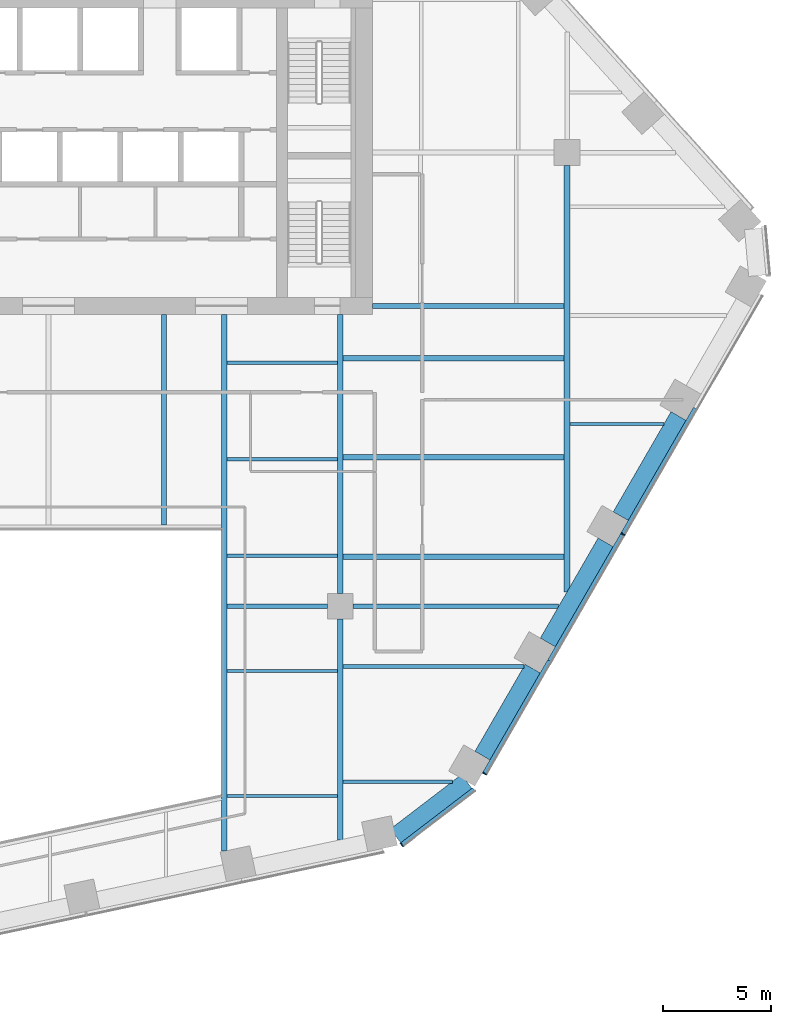
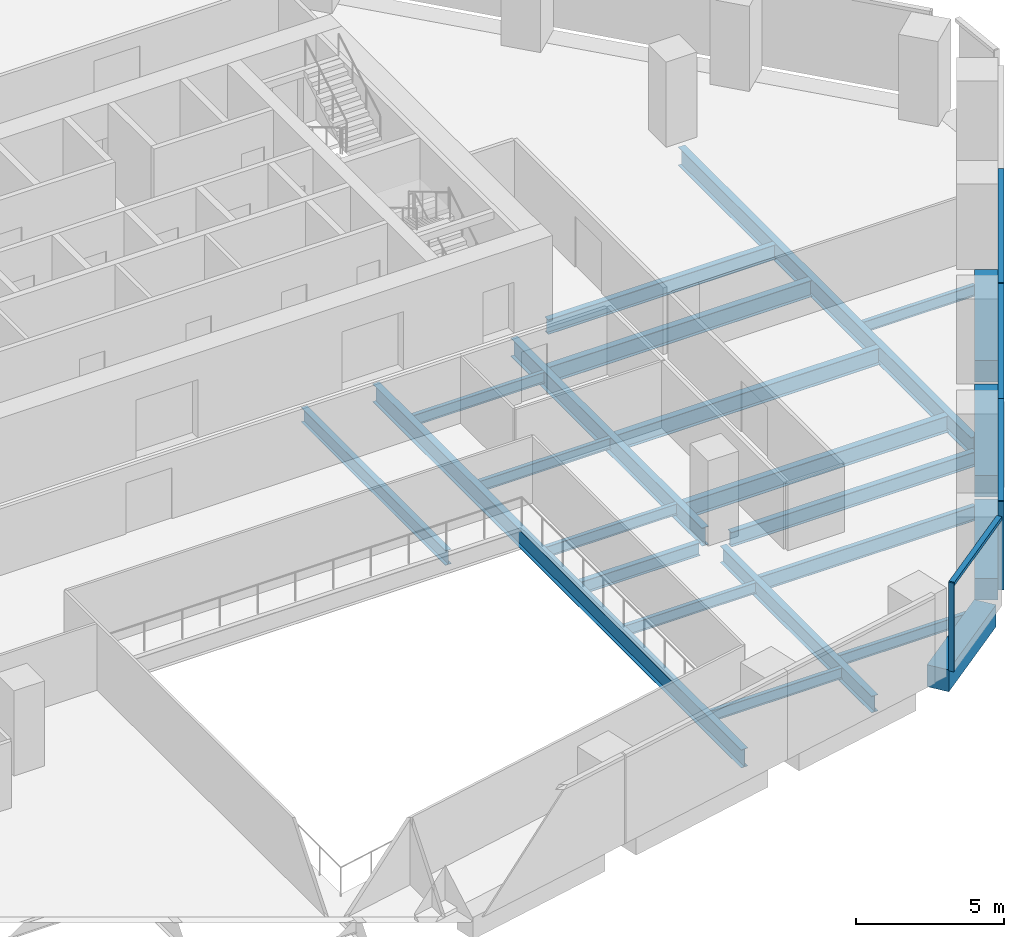
# One storey, part 5 of 16: 23 beams, 7 members, 2 elements without a shape of their own.
"""IFC4 building model written with IfcOpenShell, lengths in metres."""

from ifc_helpers import new_model, si_unit, direction, frame, origin, origin_2d, place, context, subcontext, project, spatial, rectangle, i_section, extrude, material, layer, layer_set, material_profile, profile_set, type_object, element, aggregate, save


model = new_model("IFC4")

# Units and contexts
model_context = context("Model", 3, precision=1e-05, world=origin(), true_north=direction((0.0, 1.0)))
body_context = subcontext(model_context, "Body", "Model", "MODEL_VIEW")
ifc_project = project(units=[si_unit("LENGTHUNIT", "METRE"), si_unit("AREAUNIT", "SQUARE_METRE"), si_unit("VOLUMEUNIT", "CUBIC_METRE"), si_unit("PLANEANGLEUNIT", "RADIAN"), si_unit("MASSUNIT", "GRAM", prefix="KILO")], contexts=[model_context])

# Site, building, storey
site_placement = place(None, origin())
site = spatial("IfcSite", under=ifc_project, at=site_placement, CompositionType="ELEMENT")
building_placement = place(site_placement, origin())
building = spatial("IfcBuilding", under=site, at=building_placement, Name="Isthmus Gate Tower", CompositionType="ELEMENT")
storey_placement = place(building_placement, frame((0.0, 0.0, 151.699951171875)))
storey = spatial("IfcBuildingStorey", under=building, at=storey_placement, Name="L37", CompositionType="ELEMENT", Elevation=151.699951171875)

# Curtain wall, member
ifc_material_1 = material(Name="Aluminium, pale champagne anodised", Category="aluminium")
ifc_layer = layer(ifc_material_1, 0.199951171875)
ifc_layer_set = layer_set([ifc_layer], Name="CW-1 UNITISED CURTAIN WALL 200 DEEP")
curtain_wall_type = type_object("IfcCurtainWallType", Name="CW-1 UNITISED CURTAIN WALL 200 DEEP", PredefinedType="NOTDEFINED", material=ifc_layer_set)
curtain_wall_1_placement = place(storey_placement, origin())
curtain_wall_1 = element("IfcCurtainWall", 1, at=curtain_wall_1_placement, inside=storey, type_object=curtain_wall_type, Name="CW-1 S-SE L37", PredefinedType="NOTDEFINED")
ifc_material_2 = material(Name="Aluminium, pale champagne anodised", Category="aluminium")
ifc_material_profile_1 = material_profile(ifc_material_2, rectangle(XDim=0.06005859375, YDim=0.199951171875, at=origin_2d()), Name="60x200")
ifc_profile_set_1 = profile_set([ifc_material_profile_1], Name="Aluminium, pale champagne anodised")
member_type_1 = type_object("IfcMemberType", Name="CW-1 MULLION 60 X 200", PredefinedType="MULLION", material=ifc_profile_set_1)
member_1_placement = place(storey_placement, frame((16.346435546875, -24.5419921875, 0.0), z_axis=(0.0, 0.0, 1.0), x_axis=(0.794188594387, 0.607671355706, 0.0)))
member_1 = element("IfcMember", 2, at=member_1_placement, type_object=member_type_1, Name="CW-1 mullion", PredefinedType="MULLION", context=body_context, shape_type="SweptSolid", body=[
    extrude(rectangle(XDim=0.06005859375, YDim=0.199951171875, at=origin_2d()), origin(), (0.0, 0.0, 1.0), 3.650146484375),
])

# Curtain wall, members
curtain_wall_2_placement = place(storey_placement, origin())
curtain_wall_2 = element("IfcCurtainWall", 3, at=curtain_wall_2_placement, inside=storey, type_object=curtain_wall_type, Name="CW-1 SE L37", PredefinedType="NOTDEFINED")
member_2_placement = place(storey_placement, frame((20.18115234375, -21.245361328125, 0.0), z_axis=(0.0, 0.0, 1.0), x_axis=(0.5, 0.866025403784, 0.0)))
member_2 = element("IfcMember", 4, at=member_2_placement, type_object=member_type_1, Name="CW-1 mullion", PredefinedType="MULLION", context=body_context, shape_type="SweptSolid", body=[
    extrude(rectangle(XDim=0.06005859375, YDim=0.199951171875, at=origin_2d()), origin(), (0.0, 0.0, 1.0), 3.650146484375),
])
member_3_placement = place(storey_placement, frame((26.5810546875, -10.16015625, 0.0), z_axis=(0.0, 0.0, 1.0), x_axis=(0.5, 0.866025403784, 0.0)))
member_3 = element("IfcMember", 5, at=member_3_placement, type_object=member_type_1, Name="CW-1 mullion", PredefinedType="MULLION", context=body_context, shape_type="SweptSolid", body=[
    extrude(rectangle(XDim=0.06005859375, YDim=0.199951171875, at=origin_2d()), origin(), (0.0, 0.0, 1.0), 3.650146484375),
])

# Member
ifc_material_3 = material(Name="Aluminium, pale champagne anodised", Category="aluminium")
ifc_material_profile_2 = material_profile(ifc_material_3, rectangle(XDim=0.199951171875, YDim=0.139892578125, at=origin_2d()), Name="200x140")
ifc_profile_set_2 = profile_set([ifc_material_profile_2], Name="Aluminium, pale champagne anodised")
member_type_2 = type_object("IfcMemberType", Name="CW-1 TRANSOM 200 X 140", PredefinedType="USERDEFINED", material=ifc_profile_set_2)
member_4_placement = place(storey_placement, frame((16.3701171875, -24.52392578125, 3.580078125), z_axis=(0.79419705805, 0.607660294066, 0.0), x_axis=(-0.607660294066, 0.79419705805, 0.0)))
member_4 = element("IfcMember", 6, at=member_4_placement, type_object=member_type_2, Name="CW-1 transom", ObjectType="TRANSOM", PredefinedType="USERDEFINED", context=body_context, shape_type="SweptSolid", body=[
    extrude(rectangle(XDim=0.199951171875, YDim=0.139892578125, at=origin_2d()), origin(), (0.0, 0.0, 1.0), 4.181640625),
])

aggregate(curtain_wall_1, [member_1, member_4])

member_5_placement = place(storey_placement, frame((20.196044921875, -21.219482421875, 3.580078125), z_axis=(0.499996458184, 0.866027448643, 0.0), x_axis=(-0.866027448643, 0.499996458184, 0.0)))
member_5 = element("IfcMember", 7, at=member_5_placement, type_object=member_type_2, Name="CW-1 transom", ObjectType="TRANSOM", PredefinedType="USERDEFINED", context=body_context, shape_type="SweptSolid", body=[
    extrude(rectangle(XDim=0.199951171875, YDim=0.139892578125, at=origin_2d()), origin(), (0.0, 0.0, 1.0), 5.990234375),
])

member_6_placement = place(storey_placement, frame((23.191162109375, -16.03173828125, 3.580078125), z_axis=(0.499997969693, 0.866026575979, 0.0), x_axis=(-0.866026575979, 0.499997969693, 0.0)))
member_6 = element("IfcMember", 8, at=member_6_placement, type_object=member_type_2, Name="CW-1 transom", ObjectType="TRANSOM", PredefinedType="USERDEFINED", context=body_context, shape_type="SweptSolid", body=[
    extrude(rectangle(XDim=0.199951171875, YDim=0.139892578125, at=origin_2d()), origin(), (0.0, 0.0, 1.0), 6.75),
])

member_7_placement = place(storey_placement, frame((26.59619140625, -10.134033203125, 3.580078125), z_axis=(0.499997283838, 0.866026971956, 0.0), x_axis=(-0.866026971956, 0.499997283838, 0.0)))
member_7 = element("IfcMember", 9, at=member_7_placement, type_object=member_type_2, Name="CW-1 transom", ObjectType="TRANSOM", PredefinedType="USERDEFINED", context=body_context, shape_type="SweptSolid", body=[
    extrude(rectangle(XDim=0.199951171875, YDim=0.139892578125, at=origin_2d()), origin(), (0.0, 0.0, 1.0), 6.68994140625),
])

aggregate(curtain_wall_2, [member_2, member_5, member_6, member_3, member_7])

# Beams
ifc_material_4 = material(Name="Concrete f'c 60 MPa", Category="concrete")
ifc_material_profile_3 = material_profile(ifc_material_4, rectangle(XDim=0.800048828125, YDim=0.89990234375, at=origin_2d()), Name="RC 800X900")
ifc_profile_set_3 = profile_set([ifc_material_profile_3], Name="Concrete f'c 60 MPa")
beam_type_1 = type_object("IfcBeamType", Name="RC SPANDREL 800 X 900", PredefinedType="SPANDREL", material=ifc_profile_set_3)
for number, where, z_axis, x_axis, name in (
    (10, (29.158203125, -4.696533203125, -0.449951171875), (-0.500001594578, -0.866024483152, 0.0), (0.866024483152, -0.500001594578, 0.0), "str-spandrel-L37-07"),
    (11, (25.783203125, -10.542236328125, -0.449951171875), (-0.500001594578, -0.866024483152, 0.0), (0.866024483152, -0.500001594578, 0.0), "str-spandrel-L37-08"),
):
    element("IfcBeam", number, at=place(storey_placement, frame(where, z_axis=z_axis, x_axis=x_axis)), inside=storey, type_object=beam_type_1, Name=name, PredefinedType="SPANDREL", context=body_context, shape_type="SweptSolid", body=[
        extrude(rectangle(XDim=0.800048828125, YDim=0.89990234375, at=origin_2d()), origin(), (0.0, 0.0, 1.0), 5.35009765625),
    ])
beam_1_placement = place(storey_placement, frame((22.408203125, -16.387939453125, -0.449951171875), z_axis=(-0.500001179632, -0.866024722723, 0.0), x_axis=(0.866024722723, -0.500001179632, 0.0)))
element("IfcBeam", 12, at=beam_1_placement, inside=storey, type_object=beam_type_1, Name="str-spandrel-L37-09", PredefinedType="SPANDREL", context=body_context, shape_type="SweptSolid", body=[
    extrude(rectangle(XDim=0.800048828125, YDim=0.89990234375, at=origin_2d()), origin(), (0.0, 0.0, 1.0), 4.650390625),
])
beam_2_placement = place(storey_placement, frame((19.354248046875, -21.611083984375, -0.449951171875), z_axis=(-0.794205941875, -0.607648682949, 0.0), x_axis=(0.607648682949, -0.794205941875, 0.0)))
element("IfcBeam", 13, at=beam_2_placement, inside=storey, type_object=beam_type_1, Name="str-spandrel-L37-10", PredefinedType="SPANDREL", context=body_context, shape_type="SweptSolid", body=[
    extrude(rectangle(XDim=0.800048828125, YDim=0.89990234375, at=origin_2d()), origin(), (0.0, 0.0, 1.0), 4.15234375),
])
ifc_material_5 = material(Name="Structural steel ASTM A992 Gr 50", Category="steel")
ifc_material_profile_4 = material_profile(ifc_material_5, i_section(OverallWidth=0.15234375, OverallDepth=0.45068359375, WebThickness=0.0078125, FlangeThickness=0.010986328125, at=origin_2d()), Name="W18X35")
ifc_profile_set_4 = profile_set([ifc_material_profile_4], Name="Structural steel ASTM A992 Gr 50")
beam_type_2 = type_object("IfcBeamType", Name="STEEL FLOOR BEAM W18X35", PredefinedType="JOIST", material=ifc_profile_set_4)
for number, where, z_axis, x_axis, name in (
    (14, (8.263427734375, -22.283203125, -0.375244140625), (1.0, 0.0, 0.0), (0.0, 1.0, 0.0), "str-beam-L37-09-00"),
    (15, (8.263427734375, -16.49755859375, -0.375244140625), (1.0, 0.0, 0.0), (0.0, 1.0, 0.0), "str-beam-L37-09-01"),
):
    element("IfcBeam", number, at=place(storey_placement, frame(where, z_axis=z_axis, x_axis=x_axis)), inside=storey, type_object=beam_type_2, Name=name, PredefinedType="JOIST", context=body_context, shape_type="SweptSolid", body=[
        extrude(i_section(OverallWidth=0.15234375, OverallDepth=0.45068359375, WebThickness=0.0078125, FlangeThickness=0.010986328125, at=origin_2d()), origin(), (0.0, 0.0, 1.0), 5.109619140625),
    ])
for number, where, z_axis, x_axis, name in (
    (16, (8.263427734375, -11.16259765625, -0.375244140625), (1.0, 0.0, 0.0), (0.0, 1.0, 0.0), "str-beam-L37-10-00"),
    (17, (8.263427734375, -6.697509765625, -0.375244140625), (1.0, 0.0, 0.0), (0.0, 1.0, 0.0), "str-beam-L37-10-01"),
    (18, (8.263427734375, -2.232421875, -0.375244140625), (1.0, 0.0, 0.0), (0.0, 1.0, 0.0), "str-beam-L37-10-02"),
):
    element("IfcBeam", number, at=place(storey_placement, frame(where, z_axis=z_axis, x_axis=x_axis)), inside=storey, type_object=beam_type_2, Name=name, PredefinedType="JOIST", context=body_context, shape_type="SweptSolid", body=[
        extrude(i_section(OverallWidth=0.15234375, OverallDepth=0.45068359375, WebThickness=0.0078125, FlangeThickness=0.010986328125, at=origin_2d()), origin(), (0.0, 0.0, 1.0), 5.104736328125),
    ])
beam_3_placement = place(storey_placement, frame((13.626953125, -21.61767578125, -0.375244140625), z_axis=(1.0, 0.0, 0.0), x_axis=(0.0, 1.0, 0.0)))
element("IfcBeam", 19, at=beam_3_placement, inside=storey, type_object=beam_type_2, Name="str-beam-L37-11-00", PredefinedType="JOIST", context=body_context, shape_type="SweptSolid", body=[
    extrude(i_section(OverallWidth=0.15234375, OverallDepth=0.45068359375, WebThickness=0.0078125, FlangeThickness=0.010986328125, at=origin_2d()), origin(), (0.0, 0.0, 1.0), 5.060302734375),
])
beam_4_placement = place(storey_placement, frame((24.13330078125, -5.0625, -0.375244140625), z_axis=(1.0, 0.0, 0.0), x_axis=(0.0, 1.0, 0.0)))
element("IfcBeam", 20, at=beam_4_placement, inside=storey, type_object=beam_type_2, Name="str-beam-L37-16-00", PredefinedType="JOIST", context=body_context, shape_type="SweptSolid", body=[
    extrude(i_section(OverallWidth=0.15234375, OverallDepth=0.45068359375, WebThickness=0.0078125, FlangeThickness=0.010986328125, at=origin_2d()), origin(), (0.0, 0.0, 1.0), 4.351806640625),
])
ifc_material_6 = material(Name="Structural steel ASTM A992 Gr 50", Category="steel")
ifc_material_profile_5 = material_profile(ifc_material_6, i_section(OverallWidth=0.177734375, OverallDepth=0.60009765625, WebThickness=0.009521484375, FlangeThickness=0.0126953125, at=origin_2d()), Name="W24X55")
ifc_profile_set_5 = profile_set([ifc_material_profile_5], Name="Structural steel ASTM A992 Gr 50")
beam_type_3 = type_object("IfcBeamType", Name="STEEL FLOOR BEAM W24X55", PredefinedType="JOIST", material=ifc_profile_set_5)
beam_5_placement = place(storey_placement, frame((13.626953125, -16.2822265625, -0.449951171875), z_axis=(1.0, 0.0, 0.0), x_axis=(0.0, 1.0, 0.0)))
element("IfcBeam", 21, at=beam_5_placement, inside=storey, type_object=beam_type_3, Name="str-beam-L37-11-01", PredefinedType="JOIST", context=body_context, shape_type="SweptSolid", body=[
    extrude(i_section(OverallWidth=0.177734375, OverallDepth=0.60009765625, WebThickness=0.009521484375, FlangeThickness=0.0126953125, at=origin_2d()), origin(), (0.0, 0.0, 1.0), 8.38037109375),
])
ifc_material_7 = material(Name="Structural steel ASTM A992 Gr 50", Category="steel")
ifc_material_profile_6 = material_profile(ifc_material_7, i_section(OverallWidth=0.228515625, OverallDepth=0.603271484375, WebThickness=0.010986328125, FlangeThickness=0.014404296875, at=origin_2d()), Name="W24X68")
ifc_profile_set_6 = profile_set([ifc_material_profile_6], Name="Structural steel ASTM A992 Gr 50")
beam_type_4 = type_object("IfcBeamType", Name="STEEL FLOOR BEAM W24X68", PredefinedType="JOIST", material=ifc_profile_set_6)
beam_6_placement = place(storey_placement, frame((5.333251953125, -9.7333984375, -0.45166015625), z_axis=(0.0, 1.0, 0.0), x_axis=(-1.0, 0.0, 0.0)))
element("IfcBeam", 22, at=beam_6_placement, inside=storey, type_object=beam_type_4, Name="str-beam-L37-06-02", PredefinedType="JOIST", context=body_context, shape_type="SweptSolid", body=[
    extrude(i_section(OverallWidth=0.228515625, OverallDepth=0.603271484375, WebThickness=0.010986328125, FlangeThickness=0.014404296875, at=origin_2d()), origin(), (0.0, 0.0, 1.0), 9.7333984375),
])
ifc_material_8 = material(Name="Structural steel ASTM A992 Gr 50", Category="steel")
ifc_material_profile_7 = material_profile(ifc_material_8, i_section(OverallWidth=0.25390625, OverallDepth=0.679443359375, WebThickness=0.010986328125, FlangeThickness=0.015869140625, at=origin_2d()), Name="W27X84")
ifc_profile_set_7 = profile_set([ifc_material_profile_7], Name="Structural steel ASTM A992 Gr 50")
beam_type_5 = type_object("IfcBeamType", Name="STEEL FLOOR BEAM W27X84", PredefinedType="JOIST", material=ifc_profile_set_7)
for number, where, z_axis, x_axis, name in (
    (23, (13.6318359375, -11.202392578125, -0.48974609375), (1.0, 0.0, 0.0), (0.0, 1.0, 0.0), "str-beam-L37-12-00"),
    (24, (13.6318359375, -6.607177734375, -0.48974609375), (1.0, 0.0, 0.0), (0.0, 1.0, 0.0), "str-beam-L37-12-01"),
    (25, (13.6318359375, -2.011962890625, -0.48974609375), (1.0, 0.0, 0.0), (0.0, 1.0, 0.0), "str-beam-L37-12-02"),
):
    element("IfcBeam", number, at=place(storey_placement, frame(where, z_axis=z_axis, x_axis=x_axis)), inside=storey, type_object=beam_type_5, Name=name, PredefinedType="JOIST", context=body_context, shape_type="SweptSolid", body=[
        extrude(i_section(OverallWidth=0.25390625, OverallDepth=0.679443359375, WebThickness=0.010986328125, FlangeThickness=0.015869140625, at=origin_2d()), origin(), (0.0, 0.0, 1.0), 10.23486328125),
    ])
ifc_material_9 = material(Name="Structural steel ASTM A992 Gr 50", Category="steel")
ifc_material_profile_8 = material_profile(ifc_material_9, i_section(OverallWidth=0.20947265625, OverallDepth=0.533447265625, WebThickness=0.009521484375, FlangeThickness=0.015869140625, at=origin_2d()), Name="W21X62")
ifc_profile_set_8 = profile_set([ifc_material_profile_8], Name="Structural steel ASTM A992 Gr 50")
beam_type_6 = type_object("IfcBeamType", Name="STEEL GIRDER W21X62", PredefinedType="BEAM", material=ifc_profile_set_8)
beam_7_placement = place(storey_placement, frame((8.263427734375, -13.5, -0.416748046875), z_axis=(1.0, 0.0, 0.0), x_axis=(0.0, 1.0, 0.0)))
element("IfcBeam", 26, at=beam_7_placement, inside=storey, type_object=beam_type_6, Name="str-girder-L37-03", PredefinedType="BEAM", context=body_context, shape_type="SweptSolid", body=[
    extrude(i_section(OverallWidth=0.20947265625, OverallDepth=0.533447265625, WebThickness=0.009521484375, FlangeThickness=0.015869140625, at=origin_2d()), origin(), (0.0, 0.0, 1.0), 4.636474609375),
])
ifc_material_10 = material(Name="Structural steel ASTM A992 Gr 50", Category="steel")
ifc_material_profile_9 = material_profile(ifc_material_10, i_section(OverallWidth=0.228515625, OverallDepth=0.6064453125, WebThickness=0.010986328125, FlangeThickness=0.017578125, at=origin_2d()), Name="W24X76")
ifc_profile_set_9 = profile_set([ifc_material_profile_9], Name="Structural steel ASTM A992 Gr 50")
beam_type_7 = type_object("IfcBeamType", Name="STEEL GIRDER W24X76", PredefinedType="BEAM", material=ifc_profile_set_9)
beam_8_placement = place(storey_placement, frame((14.10009765625, -13.5, -0.453125), z_axis=(1.0, 0.0, 0.0), x_axis=(0.0, 1.0, 0.0)))
element("IfcBeam", 27, at=beam_8_placement, inside=storey, type_object=beam_type_7, Name="str-girder-L37-04", PredefinedType="BEAM", context=body_context, shape_type="SweptSolid", body=[
    extrude(i_section(OverallWidth=0.228515625, OverallDepth=0.6064453125, WebThickness=0.010986328125, FlangeThickness=0.017578125, at=origin_2d()), origin(), (0.0, 0.0, 1.0), 9.513427734375),
])
beam_9_placement = place(storey_placement, frame((15.0, 0.39990234375, -0.453125), z_axis=(1.0, 0.0, 0.0), x_axis=(0.0, 1.0, 0.0)))
element("IfcBeam", 28, at=beam_9_placement, inside=storey, type_object=beam_type_7, Name="str-girder-L37-14", PredefinedType="BEAM", context=body_context, shape_type="SweptSolid", body=[
    extrude(i_section(OverallWidth=0.228515625, OverallDepth=0.6064453125, WebThickness=0.010986328125, FlangeThickness=0.017578125, at=origin_2d()), origin(), (0.0, 0.0, 1.0), 8.86669921875),
])
ifc_material_11 = material(Name="Structural steel ASTM A992 Gr 50", Category="steel")
ifc_material_profile_10 = material_profile(ifc_material_11, i_section(OverallWidth=0.25390625, OverallDepth=0.679443359375, WebThickness=0.010986328125, FlangeThickness=0.015869140625, at=origin_2d()), Name="W27X84")
ifc_profile_set_10 = profile_set([ifc_material_profile_10], Name="Structural steel ASTM A992 Gr 50")
beam_type_8 = type_object("IfcBeamType", Name="STEEL GIRDER W27X84", PredefinedType="BEAM", material=ifc_profile_set_10)
beam_10_placement = place(storey_placement, frame((13.5, -24.3125, -0.48974609375), z_axis=(0.0, 1.0, 0.0), x_axis=(-1.0, 0.0, 0.0)))
element("IfcBeam", 29, at=beam_10_placement, inside=storey, type_object=beam_type_8, Name="str-girder-L37-09", PredefinedType="BEAM", context=body_context, shape_type="SweptSolid", body=[
    extrude(i_section(OverallWidth=0.25390625, OverallDepth=0.679443359375, WebThickness=0.010986328125, FlangeThickness=0.015869140625, at=origin_2d()), origin(), (0.0, 0.0, 1.0), 10.21240234375),
])
ifc_material_12 = material(Name="Structural steel ASTM A992 Gr 50", Category="steel")
ifc_material_profile_11 = material_profile(ifc_material_12, i_section(OverallWidth=0.2666015625, OverallDepth=0.7587890625, WebThickness=0.014404296875, FlangeThickness=0.01904296875, at=origin_2d()), Name="W30X108")
ifc_profile_set_11 = profile_set([ifc_material_profile_11], Name="Structural steel ASTM A992 Gr 50")
beam_type_9 = type_object("IfcBeamType", Name="STEEL GIRDER W30X108", PredefinedType="BEAM", material=ifc_profile_set_11)
beam_11_placement = place(storey_placement, frame((24.0, -12.830810546875, -0.529296875), z_axis=(0.0, 1.0, 0.0), x_axis=(-1.0, 0.0, 0.0)))
element("IfcBeam", 30, at=beam_11_placement, inside=storey, type_object=beam_type_9, Name="str-girder-L37-11", PredefinedType="BEAM", context=body_context, shape_type="SweptSolid", body=[
    extrude(i_section(OverallWidth=0.2666015625, OverallDepth=0.7587890625, WebThickness=0.014404296875, FlangeThickness=0.01904296875, at=origin_2d()), origin(), (0.0, 0.0, 1.0), 19.730712890625),
])
ifc_material_13 = material(Name="Structural steel ASTM A992 Gr 50", Category="steel")
ifc_material_profile_12 = material_profile(ifc_material_13, i_section(OverallWidth=0.263427734375, OverallDepth=0.749267578125, WebThickness=0.0126953125, FlangeThickness=0.015869140625, at=origin_2d()), Name="W30X90")
ifc_profile_set_12 = profile_set([ifc_material_profile_12], Name="Structural steel ASTM A992 Gr 50")
beam_type_10 = type_object("IfcBeamType", Name="STEEL GIRDER W30X90", PredefinedType="BEAM", material=ifc_profile_set_12)
beam_12_placement = place(storey_placement, frame((13.5, -12.89990234375, -0.524658203125), z_axis=(0.0, 1.0, 0.0), x_axis=(-1.0, 0.0, 0.0)))
element("IfcBeam", 31, at=beam_12_placement, inside=storey, type_object=beam_type_10, Name="str-girder-L37-10", PredefinedType="BEAM", context=body_context, shape_type="SweptSolid", body=[
    extrude(i_section(OverallWidth=0.263427734375, OverallDepth=0.749267578125, WebThickness=0.0126953125, FlangeThickness=0.015869140625, at=origin_2d()), origin(), (0.0, 0.0, 1.0), 12.89990234375),
])
ifc_material_14 = material(Name="Structural steel ASTM A992 Gr 50", Category="steel")
ifc_material_profile_13 = material_profile(ifc_material_14, i_section(OverallWidth=0.263427734375, OverallDepth=0.749267578125, WebThickness=0.0126953125, FlangeThickness=0.015869140625, at=origin_2d()), Name="W30X90")
ifc_profile_set_13 = profile_set([ifc_material_profile_13], Name="Structural steel ASTM A992 Gr 50")
beam_type_11 = type_object("IfcBeamType", Name="STEEL TRIMMER W30X90", PredefinedType="BEAM", material=ifc_profile_set_13)
beam_13_placement = place(storey_placement, frame((8.1318359375, -24.84033203125, -0.524658203125), z_axis=(0.0, 1.0, 0.0), x_axis=(-1.0, 0.0, 0.0)))
element("IfcBeam", 32, at=beam_13_placement, inside=storey, type_object=beam_type_11, Name="str-trimmer-L37-01", PredefinedType="BEAM", context=body_context, shape_type="SweptSolid", body=[
    extrude(i_section(OverallWidth=0.263427734375, OverallDepth=0.749267578125, WebThickness=0.0126953125, FlangeThickness=0.015869140625, at=origin_2d()), origin(), (0.0, 0.0, 1.0), 24.84033203125),
])

save(model, "model.ifc")
